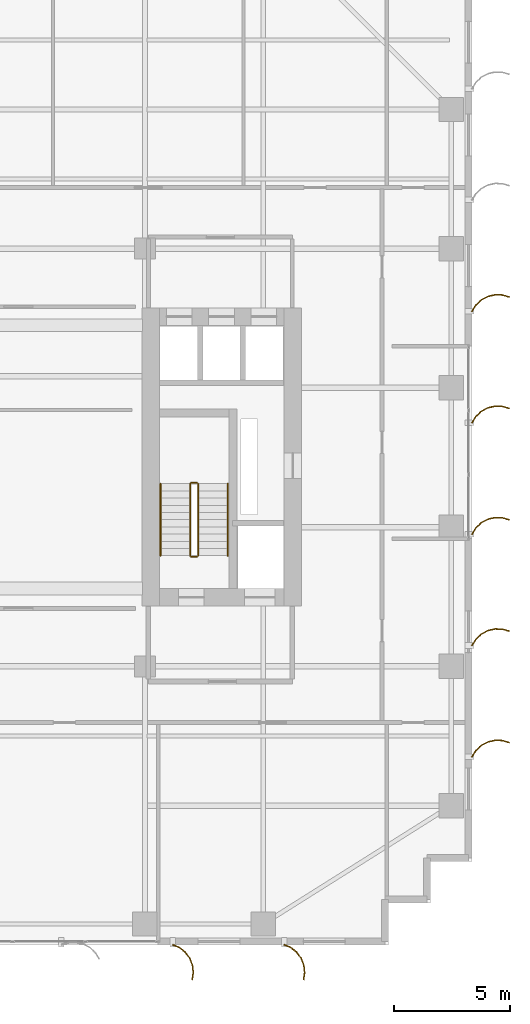
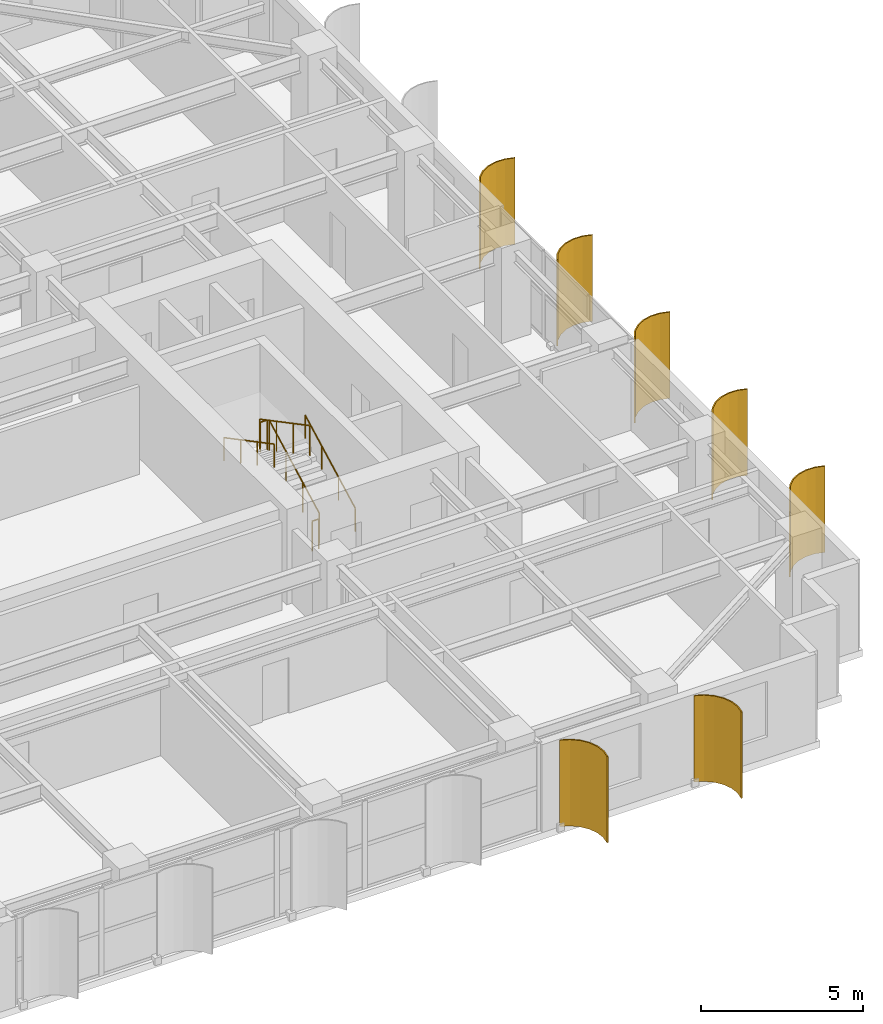
# One storey, part 21 of 22: 7 shading devices, 6 railings.
"""IFC4 building model written with IfcOpenShell, lengths in metres."""

from ifc_helpers import new_model, si_unit, direction, frame, origin, origin_2d, place, context, subcontext, project, spatial, polyline, circle, outline, extrude, source, transform, mapped, material, layer, layer_set, type_object, element, save


model = new_model("IFC4")

# Units and contexts
model_context = context("Model", 3, precision=1e-05, world=origin(), true_north=direction((0.0, 1.0)))
body_context = subcontext(model_context, "Body", "Model", "MODEL_VIEW")
ifc_project = project(units=[si_unit("LENGTHUNIT", "METRE"), si_unit("AREAUNIT", "SQUARE_METRE"), si_unit("VOLUMEUNIT", "CUBIC_METRE"), si_unit("PLANEANGLEUNIT", "RADIAN"), si_unit("MASSUNIT", "GRAM", prefix="KILO")], contexts=[model_context])

# Site, building, storey
site_placement = place(None, origin())
site = spatial("IfcSite", under=ifc_project, at=site_placement, CompositionType="ELEMENT")
building_placement = place(site_placement, origin())
building = spatial("IfcBuilding", under=site, at=building_placement, Name="Khoralis Quay Care Tower", CompositionType="ELEMENT")
storey_placement = place(building_placement, frame((0.0, 0.0, 141.300048828125)))
storey = spatial("IfcBuildingStorey", under=building, at=storey_placement, Name="L37", CompositionType="ELEMENT", Elevation=141.300048828125)

# Railings
ifc_material_1 = material(Name="Brushed stainless steel", Category="steel")
railing_type_1 = type_object("IfcRailingType", Name="RL-GUARD-1150", PredefinedType="GUARDRAIL", material=ifc_material_1)
railing_1_placement = place(storey_placement, frame((33.18994140625, 16.77001953125, 0.16357421875)))
element("IfcRailing", 1, at=railing_1_placement, inside=storey, type_object=railing_type_1, Name="L37 ST-T2 stair guard 1", PredefinedType="GUARDRAIL", context=body_context, shape_type="SweptSolid", body=[
    extrude(circle(Radius=0.02392578125, at=origin_2d()), frame((0.0, 0.0, 1.1259765625), z_axis=(0.0, 0.884348015382, 0.466828220752), x_axis=(-1.0, 0.0, 0.0)), (0.0, 0.0, 1.0), 3.505615234375),
    extrude(circle(Radius=0.02099609375, at=origin_2d()), origin(), (0.0, 0.0, 1.0), 1.101806640625),
    extrude(circle(Radius=0.02099609375, at=origin_2d()), frame((0.0, 1.033447265625, 0.54541015625)), (0.0, 0.0, 1.0), 1.101806640625),
    extrude(circle(Radius=0.02099609375, at=origin_2d()), frame((0.0, 2.066650390625, 1.091064453125)), (0.0, 0.0, 1.0), 1.101806640625),
    extrude(circle(Radius=0.02099609375, at=origin_2d()), frame((0.0, 3.10009765625, 1.636474609375)), (0.0, 0.0, 1.0), 1.101806640625),
])
railing_2_placement = place(storey_placement, frame((33.139892578125, 19.919921875, 1.800048828125)))
element("IfcRailing", 2, at=railing_2_placement, inside=storey, type_object=railing_type_1, Name="L37 ST-T2 stair guard 2", PredefinedType="GUARDRAIL", context=body_context, shape_type="SweptSolid", body=[
    extrude(circle(Radius=0.02392578125, at=origin_2d()), frame((0.0, 0.0, 1.1259765625), z_axis=(-1.0, 0.0, 0.0), x_axis=(0.0, -1.0, 0.0)), (0.0, 0.0, 1.0), 0.239990234375),
    extrude(circle(Radius=0.02099609375, at=origin_2d()), origin(), (0.0, 0.0, 1.0), 1.101806640625),
    extrude(circle(Radius=0.02099609375, at=origin_2d()), frame((-0.239990234375, 0.0, 0.0)), (0.0, 0.0, 1.0), 1.101806640625),
])
railing_3_placement = place(storey_placement, frame((32.85009765625, 19.8701171875, 1.963623046875)))
element("IfcRailing", 3, at=railing_3_placement, inside=storey, type_object=railing_type_1, Name="L37 ST-T2 stair guard 3", PredefinedType="GUARDRAIL", context=body_context, shape_type="SweptSolid", body=[
    extrude(circle(Radius=0.02392578125, at=origin_2d()), frame((0.0, 0.0, 1.1259765625), z_axis=(0.0, -0.884376766648, 0.46677375099), x_axis=(1.0, 0.0, 0.0)), (0.0, 0.0, 1.0), 3.50537109375),
    extrude(circle(Radius=0.02099609375, at=origin_2d()), origin(), (0.0, 0.0, 1.0), 1.101806640625),
    extrude(circle(Radius=0.02099609375, at=origin_2d()), frame((0.0, -1.033447265625, 0.54541015625)), (0.0, 0.0, 1.0), 1.101806640625),
    extrude(circle(Radius=0.02099609375, at=origin_2d()), frame((0.0, -2.066650390625, 1.0908203125)), (0.0, 0.0, 1.0), 1.101806640625),
    extrude(circle(Radius=0.02099609375, at=origin_2d()), frame((0.0, -3.10009765625, 1.63623046875)), (0.0, 0.0, 1.0), 1.101806640625),
])
railing_4_placement = place(storey_placement, frame((33.139892578125, 16.719970703125, 0.0)))
element("IfcRailing", 4, at=railing_4_placement, inside=storey, type_object=railing_type_1, Name="L37 ST-T2 stair guard 4", PredefinedType="GUARDRAIL", context=body_context, shape_type="SweptSolid", body=[
    extrude(circle(Radius=0.02392578125, at=origin_2d()), frame((0.0, 0.0, 1.1259765625), z_axis=(-1.0, 0.0, 0.0), x_axis=(0.0, -1.0, 0.0)), (0.0, 0.0, 1.0), 0.239990234375),
    extrude(circle(Radius=0.02099609375, at=origin_2d()), origin(), (0.0, 0.0, 1.0), 1.101806640625),
    extrude(circle(Radius=0.02099609375, at=origin_2d()), frame((-0.239990234375, 0.0, 0.0)), (0.0, 0.0, 1.0), 1.101806640625),
])
railing_type_2 = type_object("IfcRailingType", Name="RL-HAND-900", PredefinedType="HANDRAIL", material=ifc_material_1)
railing_5_placement = place(storey_placement, frame((34.469970703125, 16.77001953125, 0.16357421875)))
element("IfcRailing", 5, at=railing_5_placement, inside=storey, type_object=railing_type_2, Name="L37 ST-T2 stair handrail 1", PredefinedType="HANDRAIL", context=body_context, shape_type="SweptSolid", body=[
    extrude(circle(Radius=0.02392578125, at=origin_2d()), frame((0.0, 0.0, 0.8759765625), z_axis=(0.0, 0.884348015382, 0.466828220752), x_axis=(-1.0, 0.0, 0.0)), (0.0, 0.0, 1.0), 3.505615234375),
    extrude(circle(Radius=0.02099609375, at=origin_2d()), origin(), (0.0, 0.0, 1.0), 0.851806640625),
    extrude(circle(Radius=0.02099609375, at=origin_2d()), frame((0.0, 1.033447265625, 0.54541015625)), (0.0, 0.0, 1.0), 0.851806640625),
    extrude(circle(Radius=0.02099609375, at=origin_2d()), frame((0.0, 2.066650390625, 1.091064453125)), (0.0, 0.0, 1.0), 0.851806640625),
    extrude(circle(Radius=0.02099609375, at=origin_2d()), frame((0.0, 3.10009765625, 1.636474609375)), (0.0, 0.0, 1.0), 0.851806640625),
])
railing_6_placement = place(storey_placement, frame((31.570068359375, 19.8701171875, 1.963623046875)))
element("IfcRailing", 6, at=railing_6_placement, inside=storey, type_object=railing_type_2, Name="L37 ST-T2 stair handrail 2", PredefinedType="HANDRAIL", context=body_context, shape_type="SweptSolid", body=[
    extrude(circle(Radius=0.02392578125, at=origin_2d()), frame((0.0, 0.0, 0.8759765625), z_axis=(0.0, -0.884376766648, 0.46677375099), x_axis=(1.0, 0.0, 0.0)), (0.0, 0.0, 1.0), 3.50537109375),
    extrude(circle(Radius=0.02099609375, at=origin_2d()), origin(), (0.0, 0.0, 1.0), 0.851806640625),
    extrude(circle(Radius=0.02099609375, at=origin_2d()), frame((0.0, -1.033447265625, 0.54541015625)), (0.0, 0.0, 1.0), 0.851806640625),
    extrude(circle(Radius=0.02099609375, at=origin_2d()), frame((0.0, -2.066650390625, 1.0908203125)), (0.0, 0.0, 1.0), 0.851806640625),
    extrude(circle(Radius=0.02099609375, at=origin_2d()), frame((0.0, -3.10009765625, 1.63623046875)), (0.0, 0.0, 1.0), 0.851806640625),
])

# Shading devices
ifc_material_2 = material(Name="Brushed pale anodised aluminium", Category="aluminium")
ifc_layer = layer(ifc_material_2, 0.044921875)
ifc_layer_set = layer_set([ifc_layer], Name="Brushed pale anodised aluminium")
shading_device_type = type_object("IfcShadingDeviceType", Name="SHD-FIN-1250", PredefinedType="USERDEFINED", material=ifc_layer_set)
shared_shape_1 = source(origin(), body_context, "Body", "SweptSolid", [
    extrude(outline(polyline([(0.0, 0.0), (0.130126953125, 0.29931640625), (0.333251953125, 0.5546875), (0.595458984375, 0.748779296875), (0.899169921875, 0.868408203125), (1.223388671875, 0.9052734375), (1.546142578125, 0.85693359375), (1.53369140625, 0.813720703125), (1.22265625, 0.8603515625), (0.91015625, 0.82470703125), (0.617431640625, 0.70947265625), (0.364501953125, 0.522216796875), (0.168701171875, 0.276123046875), (0.043212890625, -0.012451171875), (0.0, 0.0)])), origin(), (0.0, 0.0, 1.0), 3.260009765625),
])
for number, where, z_axis, x_axis, name in (
    (7, (32.10009765625, 0.030029296875, 0.02001953125), (0.0, 0.0, 1.0), (0.0, -1.0, 0.0), "L37 Curved Solar Fin P1E0-06"),
    (8, (36.89990234375, 0.030029296875, 0.02001953125), (0.0, 0.0, 1.0), (0.0, -1.0, 0.0), "L37 Curved Solar Fin P1E0-07"),
):
    element("IfcShadingDevice", number, at=place(storey_placement, frame(where, z_axis=z_axis, x_axis=x_axis)), inside=storey, type_object=shading_device_type, Name=name, ObjectType="FIN", PredefinedType="USERDEFINED", context=body_context, shape_type="MappedRepresentation", body=[
        mapped(shared_shape_1, transform((0.0, 0.0, 0.0), scale=1.0)),
    ])
shared_shape_2 = source(origin(), body_context, "Body", "SweptSolid", [
    extrude(outline(polyline([(0.0, 0.0), (0.17041015625, 0.2783203125), (0.4072265625, 0.5029296875), (0.694091796875, 0.658447265625), (1.01123046875, 0.734619140625), (1.33740234375, 0.72607421875), (1.650390625, 0.633544921875), (1.632080078125, 0.59228515625), (1.330322265625, 0.681640625), (1.015869140625, 0.68994140625), (0.710205078125, 0.616455078125), (0.43359375, 0.466552734375), (0.20556640625, 0.25), (0.041015625, -0.018310546875), (0.0, 0.0)])), origin(), (0.0, 0.0, 1.0), 3.260009765625),
])
for number, where, z_axis, x_axis, name in (
    (9, (44.969970703125, 8.10009765625, 0.02001953125), (0.0, 0.0, 1.0), (1.0, 0.0, 0.0), "L37 Curved Solar Fin P1E5-01"),
    (10, (44.969970703125, 12.89990234375, 0.02001953125), (0.0, 0.0, 1.0), (1.0, 0.0, 0.0), "L37 Curved Solar Fin P1E5-02"),
    (11, (44.969970703125, 17.699951171875, 0.02001953125), (0.0, 0.0, 1.0), (1.0, 0.0, 0.0), "L37 Curved Solar Fin P1E5-03"),
    (12, (44.969970703125, 22.5, 0.02001953125), (0.0, 0.0, 1.0), (1.0, 0.0, 0.0), "L37 Curved Solar Fin P1E5-04"),
    (13, (44.969970703125, 27.300048828125, 0.02001953125), (0.0, 0.0, 1.0), (1.0, 0.0, 0.0), "L37 Curved Solar Fin P1E5-05"),
):
    element("IfcShadingDevice", number, at=place(storey_placement, frame(where, z_axis=z_axis, x_axis=x_axis)), inside=storey, type_object=shading_device_type, Name=name, ObjectType="FIN", PredefinedType="USERDEFINED", context=body_context, shape_type="MappedRepresentation", body=[
        mapped(shared_shape_2, transform((0.0, 0.0, 0.0), scale=1.0)),
    ])

save(model, "model.ifc")
